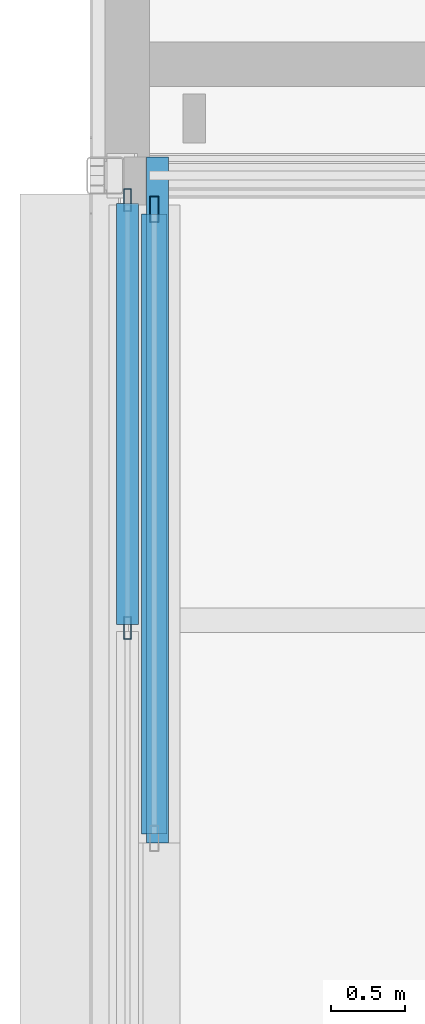
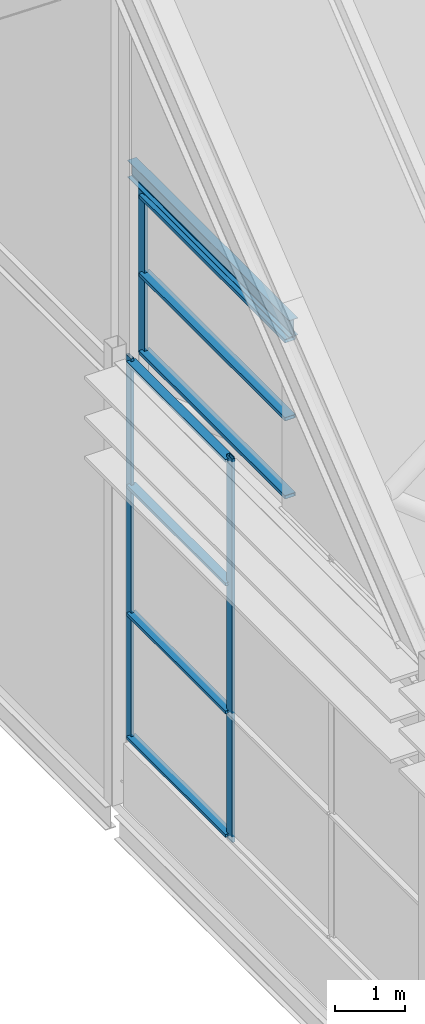
# One storey, part 39 of 144: 10 members, 1 beam, 2 elements without a shape of their own.
"""IFC4 building model written with IfcOpenShell, lengths in metres."""

from ifc_helpers import new_model, si_unit, direction, frame, origin, origin_2d, place, context, subcontext, project, spatial, hollow_rectangle, i_section, extrude, material, layer, layer_set, material_profile, profile_set, type_object, element, aggregate, save


model = new_model("IFC4")

# Units and contexts
model_context = context("Model", 3, precision=1e-05, world=origin(), true_north=direction((0.0, 1.0)))
body_context = subcontext(model_context, "Body", "Model", "MODEL_VIEW")
ifc_project = project(units=[si_unit("LENGTHUNIT", "METRE"), si_unit("AREAUNIT", "SQUARE_METRE"), si_unit("VOLUMEUNIT", "CUBIC_METRE"), si_unit("PLANEANGLEUNIT", "RADIAN"), si_unit("MASSUNIT", "GRAM", prefix="KILO")], contexts=[model_context])

# Site, building, storey
site_placement = place(None, origin())
site = spatial("IfcSite", under=ifc_project, at=site_placement, CompositionType="ELEMENT")
building_placement = place(site_placement, origin())
building = spatial("IfcBuilding", under=site, at=building_placement, Name="Shorebreak Coast Museum", CompositionType="ELEMENT")
storey_placement = place(building_placement, frame((0.0, 0.0, 36.0)))
storey = spatial("IfcBuildingStorey", under=building, at=storey_placement, Name="L06", CompositionType="ELEMENT", Elevation=36.0)

# Beam
ifc_material_1 = material(Name="Steel Grade 300", Category="steel")
ifc_material_profile_1 = material_profile(ifc_material_1, i_section(OverallWidth=0.14892578125, OverallDepth=0.298095703125, WebThickness=0.005615234375, FlangeThickness=0.008056640625, FilletRadius=0.012939453125, at=origin_2d()), Name="310UB32.0")
ifc_profile_set_1 = profile_set([ifc_material_profile_1], Name="Steel Grade 300")
beam_type = type_object("IfcBeamType", Name="Gable head beam 310UB32.0", PredefinedType="BEAM", material=ifc_profile_set_1)
beam_placement = place(storey_placement, frame((54.3515625, 76.5, 10.85107421875), z_axis=(0.0, 1.0, 0.0), x_axis=(-1.0, 0.0, 0.0)))
element("IfcBeam", 1, at=beam_placement, inside=storey, type_object=beam_type, Name="Gable head beam FOLD-X-54-2", PredefinedType="BEAM", context=body_context, shape_type="SweptSolid", body=[
    extrude(i_section(OverallWidth=0.14892578125, OverallDepth=0.298095703125, WebThickness=0.005615234375, FlangeThickness=0.008056640625, FilletRadius=0.012939453125, at=origin_2d()), origin(), (0.0, 0.0, 1.0), 4.625),
])

# Curtain wall, members
ifc_material_2 = material(Name="Aluminium", Category="aluminium")
ifc_layer_1 = layer(ifc_material_2, 0.175048828125)
ifc_layer_set_1 = layer_set([ifc_layer_1], Name="Aluminium")
curtain_wall_type_1 = type_object("IfcCurtainWallType", Name="Gable curtain wall", PredefinedType="NOTDEFINED", material=ifc_layer_set_1)
curtain_wall_1_placement = place(storey_placement, origin())
curtain_wall_1 = element("IfcCurtainWall", 2, at=curtain_wall_1_placement, inside=storey, type_object=curtain_wall_type_1, Name="Gable glazing FOLD-X-54-2", PredefinedType="NOTDEFINED")
ifc_material_3 = material(Name="Aluminium", Category="aluminium")
ifc_material_profile_2 = material_profile(ifc_material_3, hollow_rectangle(XDim=0.06005859375, YDim=0.175048828125, WallThickness=0.00390625, at=origin_2d()), Name="AL 175x60 RHS")
ifc_profile_set_2 = profile_set([ifc_material_profile_2], Name="Aluminium")
member_type_1 = type_object("IfcMemberType", Name="Gable mullion 60 x 175", PredefinedType="MULLION", material=ifc_profile_set_2)
member_1_placement = place(storey_placement, frame((54.33056640625, 80.77294921875, 7.800048828125), z_axis=(0.0, 0.0, 1.0), x_axis=(-1.0, 0.0, 0.0)))
member_1 = element("IfcMember", 3, at=member_1_placement, type_object=member_type_1, Name="CW9 mullion 2", PredefinedType="MULLION", context=body_context, shape_type="SweptSolid", body=[
    extrude(hollow_rectangle(XDim=0.06005859375, YDim=0.175048828125, WallThickness=0.00390625, at=origin_2d()), origin(), (0.0, 0.0, 1.0), 2.90185546875),
])
ifc_material_4 = material(Name="Aluminium", Category="aluminium")
ifc_material_profile_3 = material_profile(ifc_material_4, hollow_rectangle(XDim=0.175048828125, YDim=0.06005859375, WallThickness=0.00390625, at=origin_2d()), Name="AL 60x175 RHS")
ifc_profile_set_3 = profile_set([ifc_material_profile_3], Name="Aluminium")
member_type_2 = type_object("IfcMemberType", Name="Gable transom 175 x 60", PredefinedType="USERDEFINED", material=ifc_profile_set_3)
member_2_placement = place(storey_placement, frame((54.33056640625, 76.56005859375, 7.887451171875), z_axis=(0.0, 1.0, 0.0), x_axis=(-1.0, 0.0, 0.0)))
member_2 = element("IfcMember", 4, at=member_2_placement, type_object=member_type_2, Name="CW9 transom 1.1", ObjectType="TRANSOM", PredefinedType="USERDEFINED", context=body_context, shape_type="SweptSolid", body=[
    extrude(hollow_rectangle(XDim=0.175048828125, YDim=0.06005859375, WallThickness=0.00390625, at=origin_2d()), origin(), (0.0, 0.0, 1.0), 4.182861328125),
])
member_3_placement = place(storey_placement, frame((54.33056640625, 76.56005859375, 9.2509765625), z_axis=(0.0, 1.0, 0.0), x_axis=(-1.0, 0.0, 0.0)))
member_3 = element("IfcMember", 5, at=member_3_placement, type_object=member_type_2, Name="CW9 transom 1.2", ObjectType="TRANSOM", PredefinedType="USERDEFINED", context=body_context, shape_type="SweptSolid", body=[
    extrude(hollow_rectangle(XDim=0.175048828125, YDim=0.06005859375, WallThickness=0.00390625, at=origin_2d()), origin(), (0.0, 0.0, 1.0), 4.182861328125),
])
member_4_placement = place(storey_placement, frame((54.33056640625, 76.56005859375, 10.614501953125), z_axis=(0.0, 1.0, 0.0), x_axis=(-1.0, 0.0, 0.0)))
member_4 = element("IfcMember", 6, at=member_4_placement, type_object=member_type_2, Name="CW9 transom 1.3", ObjectType="TRANSOM", PredefinedType="USERDEFINED", context=body_context, shape_type="SweptSolid", body=[
    extrude(hollow_rectangle(XDim=0.175048828125, YDim=0.06005859375, WallThickness=0.00390625, at=origin_2d()), origin(), (0.0, 0.0, 1.0), 4.182861328125),
])
aggregate(curtain_wall_1, [member_1, member_2, member_3, member_4])

ifc_material_5 = material(Name="Aluminium", Category="aluminium")
ifc_layer_2 = layer(ifc_material_5, 0.14990234375)
ifc_layer_set_2 = layer_set([ifc_layer_2], Name="Aluminium")
curtain_wall_type_2 = type_object("IfcCurtainWallType", Name="Storefront curtain wall", PredefinedType="NOTDEFINED", material=ifc_layer_set_2)
curtain_wall_2_placement = place(storey_placement, origin())
curtain_wall_2 = element("IfcCurtainWall", 7, at=curtain_wall_2_placement, inside=storey, type_object=curtain_wall_type_2, Name="Atrium Hall glazing L06 W 28", PredefinedType="NOTDEFINED")
ifc_material_6 = material(Name="Aluminium", Category="aluminium")
ifc_material_profile_4 = material_profile(ifc_material_6, hollow_rectangle(XDim=0.050048828125, YDim=0.14990234375, WallThickness=0.00390625, at=origin_2d()), Name="AL 150x50 RHS")
ifc_profile_set_4 = profile_set([ifc_material_profile_4], Name="Aluminium")
member_type_3 = type_object("IfcMemberType", Name="Storefront mullion 50 x 150", PredefinedType="MULLION", material=ifc_profile_set_4)
member_5_placement = place(storey_placement, frame((54.14990234375, 77.948974609375, 1.10009765625), z_axis=(0.0, 0.0, 1.0), x_axis=(-1.0, 0.0, 0.0)))
member_5 = element("IfcMember", 8, at=member_5_placement, type_object=member_type_3, Name="CW5 mullion 3", PredefinedType="MULLION", context=body_context, shape_type="SweptSolid", body=[
    extrude(hollow_rectangle(XDim=0.050048828125, YDim=0.14990234375, WallThickness=0.00390625, at=origin_2d()), origin(), (0.0, 0.0, 1.0), 6.699951171875),
])
member_6_placement = place(storey_placement, frame((54.14990234375, 80.8359375, 1.10009765625), z_axis=(0.0, 0.0, 1.0), x_axis=(-1.0, 0.0, 0.0)))
member_6 = element("IfcMember", 9, at=member_6_placement, type_object=member_type_3, Name="CW5 mullion 4", PredefinedType="MULLION", context=body_context, shape_type="SweptSolid", body=[
    extrude(hollow_rectangle(XDim=0.050048828125, YDim=0.14990234375, WallThickness=0.00390625, at=origin_2d()), origin(), (0.0, 0.0, 1.0), 6.699951171875),
])
ifc_material_7 = material(Name="Aluminium", Category="aluminium")
ifc_material_profile_5 = material_profile(ifc_material_7, hollow_rectangle(XDim=0.14990234375, YDim=0.050048828125, WallThickness=0.00390625, at=origin_2d()), Name="AL 50x150 RHS")
ifc_profile_set_5 = profile_set([ifc_material_profile_5], Name="Aluminium")
member_type_4 = type_object("IfcMemberType", Name="Storefront transom 150 x 50", PredefinedType="USERDEFINED", material=ifc_profile_set_5)
member_7_placement = place(storey_placement, frame((54.14990234375, 77.97412109375, 1.175048828125), z_axis=(0.0, 1.0, 0.0), x_axis=(-1.0, 0.0, 0.0)))
member_7 = element("IfcMember", 10, at=member_7_placement, type_object=member_type_4, Name="CW5 transom 3.1", ObjectType="TRANSOM", PredefinedType="USERDEFINED", context=body_context, shape_type="SweptSolid", body=[
    extrude(hollow_rectangle(XDim=0.14990234375, YDim=0.050048828125, WallThickness=0.00390625, at=origin_2d()), origin(), (0.0, 0.0, 1.0), 2.8369140625),
])
member_8_placement = place(storey_placement, frame((54.14990234375, 77.97412109375, 3.333251953125), z_axis=(0.0, 1.0, 0.0), x_axis=(-1.0, 0.0, 0.0)))
member_8 = element("IfcMember", 11, at=member_8_placement, type_object=member_type_4, Name="CW5 transom 3.2", ObjectType="TRANSOM", PredefinedType="USERDEFINED", context=body_context, shape_type="SweptSolid", body=[
    extrude(hollow_rectangle(XDim=0.14990234375, YDim=0.050048828125, WallThickness=0.00390625, at=origin_2d()), origin(), (0.0, 0.0, 1.0), 2.8369140625),
])
member_9_placement = place(storey_placement, frame((54.14990234375, 77.97412109375, 5.566650390625), z_axis=(0.0, 1.0, 0.0), x_axis=(-1.0, 0.0, 0.0)))
member_9 = element("IfcMember", 12, at=member_9_placement, type_object=member_type_4, Name="CW5 transom 3.3", ObjectType="TRANSOM", PredefinedType="USERDEFINED", context=body_context, shape_type="SweptSolid", body=[
    extrude(hollow_rectangle(XDim=0.14990234375, YDim=0.050048828125, WallThickness=0.00390625, at=origin_2d()), origin(), (0.0, 0.0, 1.0), 2.8369140625),
])
member_10_placement = place(storey_placement, frame((54.14990234375, 77.97412109375, 7.72509765625), z_axis=(0.0, 1.0, 0.0), x_axis=(-1.0, 0.0, 0.0)))
member_10 = element("IfcMember", 13, at=member_10_placement, type_object=member_type_4, Name="CW5 transom 3.4", ObjectType="TRANSOM", PredefinedType="USERDEFINED", context=body_context, shape_type="SweptSolid", body=[
    extrude(hollow_rectangle(XDim=0.14990234375, YDim=0.050048828125, WallThickness=0.00390625, at=origin_2d()), origin(), (0.0, 0.0, 1.0), 2.8369140625),
])
aggregate(curtain_wall_2, [member_5, member_6, member_7, member_8, member_9, member_10])

save(model, "model.ifc")
